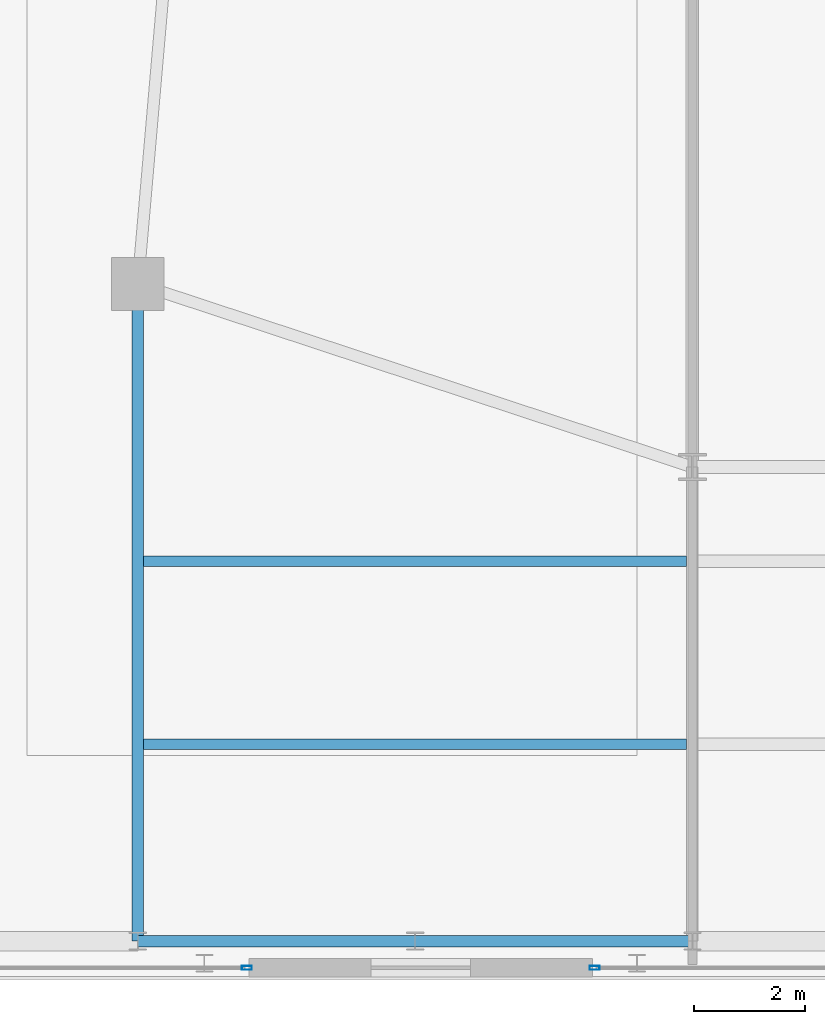
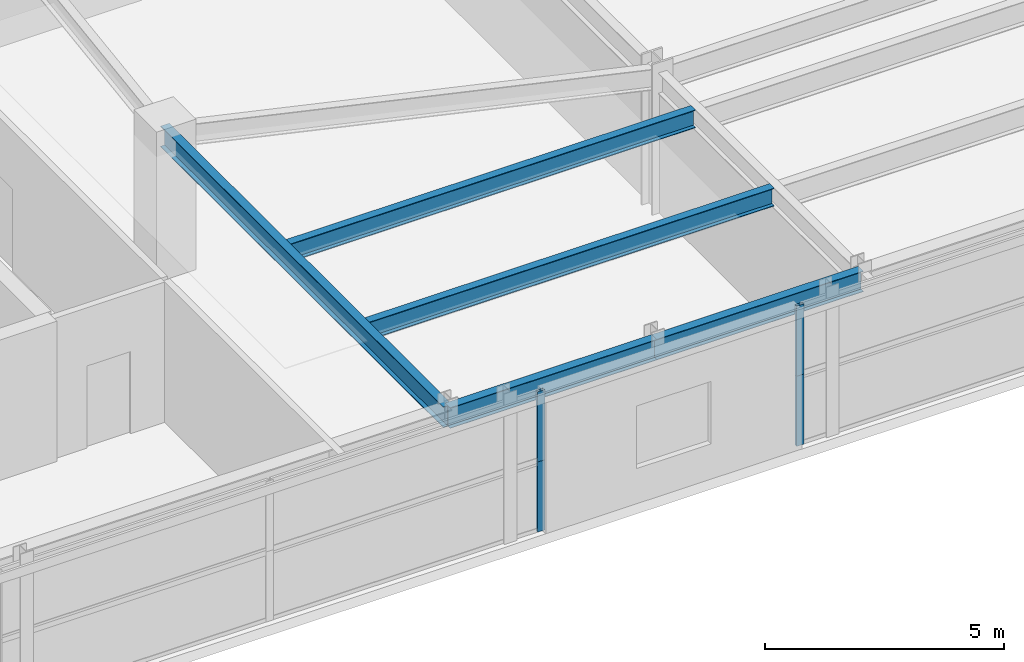
# One storey, part 10 of 26: 5 beams, 4 members, 4 elements without a shape of their own.
"""IFC4 building model written with IfcOpenShell, lengths in metres."""

import ifcopenshell
import ifcopenshell.guid

model = None  # the IFC model being written
_history = None  # IfcOwnerHistory: only IFC2X3 demands one
_inside = {}  # id of a spatial element -> (the spatial element, [elements in it])
_under = {}  # id of a project, library or spatial element -> (it, [spatial elements below it])
_declared = {}  # id of a project -> (the project, [libraries it declares])
_typed = {}  # id of a type object -> (the type object, [elements of that type])
_made_of = {}  # id of a material, layer set ... -> (it, [elements and type objects made of it])


def new_model(schema):
    """Start an empty IFC model of exactly this schema.

    Asked for "IFC4X3", IfcOpenShell would pick the latest addendum, in which some entities
    have other attributes; the version numbers below select the first issue.
    IFC2X3 requires an IfcOwnerHistory on every rooted entity: one is made here for all.
    """
    global model, _history
    if schema == "IFC4X3":
        model = ifcopenshell.file(schema_version=(4, 3, 0, 0))
    else:
        model = ifcopenshell.file(schema=schema)
    _inside.clear()
    _under.clear()
    _declared.clear()
    _typed.clear()
    _made_of.clear()
    _history = None
    if model.schema == "IFC2X3":
        org = make("IfcOrganization", Name="unknown")
        user = make(
            "IfcPersonAndOrganization",
            ThePerson=make("IfcPerson", FamilyName="unknown"),
            TheOrganization=org,
        )
        app = make(
            "IfcApplication",
            ApplicationDeveloper=org,
            Version="unknown",
            ApplicationFullName="unknown",
            ApplicationIdentifier="unknown",
        )
        _history = make(
            "IfcOwnerHistory",
            OwningUser=user,
            OwningApplication=app,
            ChangeAction="ADDED",
            CreationDate=0,
        )
    return model


def make(cls, **values):
    """One entity of the class cls with the attributes given. An attribute that is None is left unset."""
    return model.create_entity(
        cls, **{name: value for name, value in values.items() if value is not None}
    )


def rooted(cls, **values):
    """An entity with a GlobalId (a new one), such as an element, a storey or a relation."""
    return make(cls, GlobalId=ifcopenshell.guid.new(), OwnerHistory=_history, **values)


def si_unit(unit_type, name, prefix=None):
    """IfcSIUnit, for example si_unit("LENGTHUNIT", "METRE", prefix="MILLI")."""
    return make("IfcSIUnit", UnitType=unit_type, Prefix=prefix, Name=name)


def assignment(units):
    """IfcUnitAssignment: the units of a project."""
    return None if units is None else make("IfcUnitAssignment", Units=units)


def point(xyz):
    """IfcCartesianPoint."""
    return None if xyz is None else make("IfcCartesianPoint", Coordinates=xyz)


def direction(xyz):
    """IfcDirection."""
    return None if xyz is None else make("IfcDirection", DirectionRatios=xyz)


def frame(location, z_axis=None, x_axis=None):
    """IfcAxis2Placement3D, a coordinate frame: its origin and axes. An axis left out is left unset."""
    return make(
        "IfcAxis2Placement3D",
        Location=point(location),
        Axis=direction(z_axis),
        RefDirection=direction(x_axis),
    )


def frame_2d(location, x_axis=None):
    """IfcAxis2Placement2D, a coordinate frame in the plane: its origin and x axis."""
    return make(
        "IfcAxis2Placement2D", Location=point(location), RefDirection=direction(x_axis)
    )


def origin():
    """The frame at (0, 0, 0) with its axes left unset."""
    return frame((0.0, 0.0, 0.0))


def origin_2d():
    """The frame at (0, 0) in the plane with its x axis left unset."""
    return frame_2d((0.0, 0.0))


def place(relative_to, where):
    """IfcLocalPlacement: puts the frame where relative to a parent placement (None: the world)."""
    return make(
        "IfcLocalPlacement", PlacementRelTo=relative_to, RelativePlacement=where
    )


def context(
    kind, dimensions, precision=None, world=None, true_north=None, identifier=None
):
    """IfcGeometricRepresentationContext, for example the 3D "Model" context."""
    return make(
        "IfcGeometricRepresentationContext",
        ContextIdentifier=identifier,
        ContextType=kind,
        CoordinateSpaceDimension=dimensions,
        Precision=precision,
        WorldCoordinateSystem=world,
        TrueNorth=true_north,
    )


def subcontext(parent, identifier, kind, view, scale=None):
    """IfcGeometricRepresentationSubContext, for example "Body" below "Model"."""
    return make(
        "IfcGeometricRepresentationSubContext",
        ContextIdentifier=identifier,
        ContextType=kind,
        ParentContext=parent,
        TargetScale=scale,
        TargetView=view,
    )


def project(units=None, contexts=None):
    """IfcProject with its units and contexts."""
    return rooted(
        "IfcProject",
        Name="project",
        RepresentationContexts=contexts,
        UnitsInContext=assignment(units),
    )


def spatial(cls, under=None, at=None, **own):
    """A site, building, storey or space (cls), placed at a placement, below another one or the project."""
    s = rooted(cls, ObjectPlacement=at, **own)
    if under is not None:
        _under.setdefault(under.id(), (under, []))[1].append(s)
    return s


def profile(cls, at=None, kind="AREA", **sizes):
    """A parametric profile (cls). Its sizes go by their IFC names, for example OverallWidth=200.0."""
    return make(cls, ProfileType=kind, Position=at, **sizes)


def hollow_rectangle(**sizes):
    """IfcRectangleHollowProfileDef."""
    return profile("IfcRectangleHollowProfileDef", **sizes)


def i_section(**sizes):
    """IfcIShapeProfileDef."""
    return profile("IfcIShapeProfileDef", **sizes)


def extrude(swept, where, along, depth):
    """IfcExtrudedAreaSolid: the profile swept, set in the frame where, extruded along a direction by depth."""
    return make(
        "IfcExtrudedAreaSolid",
        SweptArea=swept,
        Position=where,
        ExtrudedDirection=direction(along),
        Depth=depth,
    )


def shape(context_of_items, identifier, shape_type, items):
    """IfcShapeRepresentation: the items that make up one representation, for example the "Body"."""
    return make(
        "IfcShapeRepresentation",
        ContextOfItems=context_of_items,
        RepresentationIdentifier=identifier,
        RepresentationType=shape_type,
        Items=items,
    )


def source(mapping_origin, context_of_items, identifier, shape_type, items):
    """IfcRepresentationMap: a shape defined once, which mapped items show again and again."""
    return make(
        "IfcRepresentationMap",
        MappingOrigin=mapping_origin,
        MappedRepresentation=shape(context_of_items, identifier, shape_type, items),
    )


def transform(
    local_origin,
    x_axis=None,
    y_axis=None,
    z_axis=None,
    scale=None,
    scale2=None,
    scale3=None,
    uniform=True,
):
    """IfcCartesianTransformationOperator3D, or its non-uniform kind. x_axis, y_axis, z_axis: its Axis1, 2, 3."""
    if uniform:
        return make(
            "IfcCartesianTransformationOperator3D",
            Axis1=direction(x_axis),
            Axis2=direction(y_axis),
            LocalOrigin=point(local_origin),
            Scale=scale,
            Axis3=direction(z_axis),
        )
    return make(
        "IfcCartesianTransformationOperator3DnonUniform",
        Axis1=direction(x_axis),
        Axis2=direction(y_axis),
        LocalOrigin=point(local_origin),
        Scale=scale,
        Axis3=direction(z_axis),
        Scale2=scale2,
        Scale3=scale3,
    )


def mapped(mapping_source, mapping_target):
    """IfcMappedItem: shows the shape of a source again, moved by a transform."""
    return make(
        "IfcMappedItem", MappingSource=mapping_source, MappingTarget=mapping_target
    )


def material(Name=None, Category=None):
    """IfcMaterial."""
    return make("IfcMaterial", Name=Name, Category=Category)


def layer(
    of_material, thickness, ventilated=None, Name=None, Category=None, Priority=None
):
    """IfcMaterialLayer: one layer of a wall or slab, of a material (None: an air gap)."""
    return make(
        "IfcMaterialLayer",
        Material=of_material,
        LayerThickness=thickness,
        IsVentilated=ventilated,
        Name=Name,
        Category=Category,
        Priority=Priority,
    )


def layer_set(layers, Name=None):
    """IfcMaterialLayerSet."""
    return make("IfcMaterialLayerSet", MaterialLayers=layers, LayerSetName=Name)


def material_profile(
    of_material, cross_section, Name=None, Category=None, Priority=None
):
    """IfcMaterialProfile: a cross section and its material."""
    return make(
        "IfcMaterialProfile",
        Name=Name,
        Material=of_material,
        Profile=cross_section,
        Priority=Priority,
        Category=Category,
    )


def profile_set(profiles, Name=None, composite=None):
    """IfcMaterialProfileSet."""
    return make(
        "IfcMaterialProfileSet",
        Name=Name,
        MaterialProfiles=profiles,
        CompositeProfile=composite,
    )


def made_of(thing, what):
    """Note that an element or type object is made of a material, layer set ...; save() writes the relation."""
    if what is not None:
        _made_of.setdefault(what.id(), (what, []))[1].append(thing)
    return thing


def type_object(cls, material=None, **own):
    """A type object (cls), such as IfcWallType, which elements share."""
    return made_of(rooted(cls, **own), material)


def element(
    cls,
    number,
    at=None,
    inside=None,
    cuts=None,
    type_object=None,
    material=None,
    context=None,
    identifier="Body",
    shape_type=None,
    held_by="IfcProductDefinitionShape",
    body=None,
    shapes=None,
    **own,
):
    """One element of the class cls, such as IfcWall. Its Tag is "e" and its number.

    at: its placement. inside: the storey or other place that contains it. cuts: it is an
    opening in that element (IfcRelVoidsElement). A single representation is given by context,
    identifier, shape_type and body (its items); several are given by shapes. held_by: the class
    of the entity that holds the representations. save() writes the other relations.
    """
    e = rooted(cls, Tag="e%d" % number, ObjectPlacement=at, **own)
    if body is not None:
        shapes = [shape(context, identifier, shape_type, body)]
    if shapes is not None:
        e.Representation = make(held_by, Representations=shapes)
    if inside is not None:
        _inside.setdefault(inside.id(), (inside, []))[1].append(e)
    if cuts is not None:
        rooted(
            "IfcRelVoidsElement", RelatingBuildingElement=cuts, RelatedOpeningElement=e
        )
    if type_object is not None:
        _typed.setdefault(type_object.id(), (type_object, []))[1].append(e)
    return made_of(e, material)


def aggregate(whole, parts):
    """IfcRelAggregates: a whole, such as a stair, and the parts it consists of."""
    return rooted("IfcRelAggregates", RelatingObject=whole, RelatedObjects=parts)


def save(model, path):
    """Write the relations noted so far, then the file.

    IfcRelAggregates (storeys below a building ...), IfcRelContainedInSpatialStructure (elements
    in a storey), IfcRelDefinesByType, IfcRelAssociatesMaterial and IfcRelDeclares: one each for
    every whole, place, type object, material and project.
    """
    for whole, parts in _under.values():
        aggregate(whole, parts)
    for where, things in _inside.values():
        rooted(
            "IfcRelContainedInSpatialStructure",
            RelatedElements=things,
            RelatingStructure=where,
        )
    for kind, things in _typed.values():
        rooted("IfcRelDefinesByType", RelatedObjects=things, RelatingType=kind)
    for what, things in _made_of.values():
        rooted("IfcRelAssociatesMaterial", RelatedObjects=things, RelatingMaterial=what)
    for by, libraries in _declared.values():
        rooted("IfcRelDeclares", RelatingContext=by, RelatedDefinitions=libraries)
    model.write(path)


model = new_model("IFC4")

# Units and contexts
model_context = context("Model", 3, precision=1e-05, world=origin(), true_north=direction((0.0, 1.0)))
body_context = subcontext(model_context, "Body", "Model", "MODEL_VIEW")
ifc_project = project(units=[si_unit("LENGTHUNIT", "METRE"), si_unit("AREAUNIT", "SQUARE_METRE"), si_unit("VOLUMEUNIT", "CUBIC_METRE"), si_unit("PLANEANGLEUNIT", "RADIAN"), si_unit("MASSUNIT", "GRAM", prefix="KILO")], contexts=[model_context])

# Site, building, storey
site_placement = place(None, origin())
site = spatial("IfcSite", under=ifc_project, at=site_placement, CompositionType="ELEMENT")
building_placement = place(site_placement, origin())
building = spatial("IfcBuilding", under=site, at=building_placement, Name="Taldren Reach Tower", CompositionType="ELEMENT")
storey_placement = place(building_placement, frame((0.0, 0.0, 4.550048828125)))
storey = spatial("IfcBuildingStorey", under=building, at=storey_placement, Name="L01", CompositionType="ELEMENT", Elevation=4.550048828125)

# Beams
ifc_material_1 = material(Name="Steel Gr 350 (350PLUS)", Category="steel")
ifc_material_profile_1 = material_profile(ifc_material_1, i_section(OverallWidth=0.208984375, OverallDepth=0.528076171875, WebThickness=0.009521484375, FlangeThickness=0.01318359375, at=origin_2d()), Name="530UB82.0")
ifc_profile_set_1 = profile_set([ifc_material_profile_1], Name="Steel Gr 350 (350PLUS)")
beam_type_1 = type_object("IfcBeamType", Name="SP-UB530B", PredefinedType="SPANDREL", material=ifc_profile_set_1)
shared_shape_1 = source(origin(), body_context, "Body", "SweptSolid", [
    extrude(i_section(OverallWidth=0.208984375, OverallDepth=0.528076171875, WebThickness=0.009521484375, FlangeThickness=0.01318359375, at=origin_2d()), origin(), (0.0, 0.0, 1.0), 5.0),
])
for number, where, z_axis, x_axis, name in (
    (1, (18.0, 0.64990234375, 3.325927734375), (1.0, 0.0, 0.0), (0.0, 1.0, 0.0), "Podium beam L01-PD02"),
    (2, (23.0, 0.64990234375, 3.325927734375), (1.0, 0.0, 0.0), (0.0, 1.0, 0.0), "Podium beam L01-PD03"),
):
    element("IfcBeam", number, at=place(storey_placement, frame(where, z_axis=z_axis, x_axis=x_axis)), inside=storey, type_object=beam_type_1, Name=name, PredefinedType="SPANDREL", context=body_context, shape_type="MappedRepresentation", body=[
        mapped(shared_shape_1, transform((0.0, 0.0, 0.0), scale=1.0)),
    ])
ifc_material_profile_2 = material_profile(ifc_material_1, i_section(OverallWidth=0.208984375, OverallDepth=0.532958984375, WebThickness=0.01025390625, FlangeThickness=0.015625, at=origin_2d()), Name="530UB92.4")
ifc_profile_set_2 = profile_set([ifc_material_profile_2], Name="Steel Gr 350 (350PLUS)")
beam_type_2 = type_object("IfcBeamType", Name="BM-UB530A", PredefinedType="BEAM", material=ifc_profile_set_2)
shared_shape_2 = source(origin(), body_context, "Body", "SweptSolid", [
    extrude(i_section(OverallWidth=0.208984375, OverallDepth=0.532958984375, WebThickness=0.01025390625, FlangeThickness=0.015625, at=origin_2d()), origin(), (0.0, 0.0, 1.0), 11.85009765625),
])
beam_placement = place(storey_placement, frame((18.0, 0.64990234375, 3.323486328125), z_axis=(0.0, 1.0, 0.0), x_axis=(-1.0, 0.0, 0.0)))
element("IfcBeam", 3, at=beam_placement, inside=storey, type_object=beam_type_2, Name="Podium beam L01-PD22", PredefinedType="BEAM", context=body_context, shape_type="MappedRepresentation", body=[
    mapped(shared_shape_2, transform((0.0, 0.0, 0.0), scale=1.0)),
])
ifc_material_profile_3 = material_profile(ifc_material_1, i_section(OverallWidth=0.19091796875, OverallDepth=0.4599609375, WebThickness=0.010009765625, FlangeThickness=0.01611328125, at=origin_2d()), Name="460UB82.1")
ifc_profile_set_3 = profile_set([ifc_material_profile_3], Name="Steel Gr 350 (350PLUS)")
beam_type_3 = type_object("IfcBeamType", Name="BM-UB460A", PredefinedType="BEAM", material=ifc_profile_set_3)
shared_shape_3 = source(origin(), body_context, "Body", "SweptSolid", [
    extrude(i_section(OverallWidth=0.19091796875, OverallDepth=0.4599609375, WebThickness=0.010009765625, FlangeThickness=0.01611328125, at=origin_2d()), origin(), (0.0, 0.0, 1.0), 9.791015625),
])
for number, where, z_axis, x_axis, name in (
    (4, (18.1044921875, 4.199951171875, 3.35986328125), (1.0, 0.0, 0.0), (0.0, 1.0, 0.0), "Podium composite floor beam L01-1.1"),
    (5, (18.1044921875, 7.5, 3.35986328125), (1.0, 0.0, 0.0), (0.0, 1.0, 0.0), "Podium composite floor beam L01-2.1"),
):
    element("IfcBeam", number, at=place(storey_placement, frame(where, z_axis=z_axis, x_axis=x_axis)), inside=storey, type_object=beam_type_3, Name=name, PredefinedType="BEAM", context=body_context, shape_type="MappedRepresentation", body=[
        mapped(shared_shape_3, transform((0.0, 0.0, 0.0), scale=1.0)),
    ])

# Curtain wall, member
ifc_material_2 = material(Name="Aluminium and Low-E Glass Unitised System", Category="aluminium")
ifc_layer = layer(ifc_material_2, 0.159912109375)
ifc_layer_set = layer_set([ifc_layer], Name="Aluminium and Low-E Glass Unitised System")
curtain_wall_type = type_object("IfcCurtainWallType", Name="CW-SYS-1", PredefinedType="NOTDEFINED", material=ifc_layer_set)
curtain_wall_1_placement = place(storey_placement, origin())
curtain_wall_1 = element("IfcCurtainWall", 6, at=curtain_wall_1_placement, inside=storey, type_object=curtain_wall_type, Name="Unitised curtain wall CW1-L01-S1", PredefinedType="NOTDEFINED")
ifc_material_3 = material(Name="Anodised Aluminium 6063-T6", Category="aluminium")
ifc_material_profile_4 = material_profile(ifc_material_3, hollow_rectangle(XDim=0.070068359375, YDim=0.179931640625, WallThickness=0.00390625, at=origin_2d()), Name="ALU-180x70x4RHS")
ifc_profile_set_4 = profile_set([ifc_material_profile_4], Name="Anodised Aluminium 6063-T6")
member_type = type_object("IfcMemberType", Name="CW-MUL-180", PredefinedType="MULLION", material=ifc_profile_set_4)
shared_shape_4 = source(origin(), body_context, "Body", "SweptSolid", [
    extrude(hollow_rectangle(XDim=0.070068359375, YDim=0.179931640625, WallThickness=0.00390625, at=origin_2d()), origin(), (0.0, 0.0, 1.0), 1.794921875),
])
member_1_placement = place(storey_placement, frame((19.965087890625, 0.169921875, 0.0), z_axis=(0.0, 0.0, 1.0), x_axis=(0.0, 1.0, 0.0)))
member_1 = element("IfcMember", 7, at=member_1_placement, type_object=member_type, Name="CW-1 mullion 3", PredefinedType="MULLION", context=body_context, shape_type="MappedRepresentation", body=[
    mapped(shared_shape_4, transform((0.0, 0.0, 0.0), scale=1.0)),
])
aggregate(curtain_wall_1, [member_1])

curtain_wall_2_placement = place(storey_placement, origin())
curtain_wall_2 = element("IfcCurtainWall", 8, at=curtain_wall_2_placement, inside=storey, type_object=curtain_wall_type, Name="Unitised curtain wall CW1-L01-S1-T2", PredefinedType="NOTDEFINED")
member_2_placement = place(storey_placement, frame((19.965087890625, 0.169921875, 1.794921875), z_axis=(0.0, 0.0, 1.0), x_axis=(0.0, 1.0, 0.0)))
member_2 = element("IfcMember", 9, at=member_2_placement, type_object=member_type, Name="CW-1 mullion 3", PredefinedType="MULLION", context=body_context, shape_type="MappedRepresentation", body=[
    mapped(shared_shape_4, transform((0.0, 0.0, 0.0), scale=1.0)),
])
aggregate(curtain_wall_2, [member_2])

curtain_wall_3_placement = place(storey_placement, origin())
curtain_wall_3 = element("IfcCurtainWall", 10, at=curtain_wall_3_placement, inside=storey, type_object=curtain_wall_type, Name="Unitised curtain wall CW1-L01-S2", PredefinedType="NOTDEFINED")
member_3_placement = place(storey_placement, frame((26.235107421875, 0.169921875, 0.0), z_axis=(0.0, 0.0, 1.0), x_axis=(0.0, 1.0, 0.0)))
member_3 = element("IfcMember", 11, at=member_3_placement, type_object=member_type, Name="CW-1 mullion 1", PredefinedType="MULLION", context=body_context, shape_type="MappedRepresentation", body=[
    mapped(shared_shape_4, transform((0.0, 0.0, 0.0), scale=1.0)),
])
aggregate(curtain_wall_3, [member_3])

curtain_wall_4_placement = place(storey_placement, origin())
curtain_wall_4 = element("IfcCurtainWall", 12, at=curtain_wall_4_placement, inside=storey, type_object=curtain_wall_type, Name="Unitised curtain wall CW1-L01-S2-T2", PredefinedType="NOTDEFINED")
member_4_placement = place(storey_placement, frame((26.235107421875, 0.169921875, 1.794921875), z_axis=(0.0, 0.0, 1.0), x_axis=(0.0, 1.0, 0.0)))
member_4 = element("IfcMember", 13, at=member_4_placement, type_object=member_type, Name="CW-1 mullion 1", PredefinedType="MULLION", context=body_context, shape_type="MappedRepresentation", body=[
    mapped(shared_shape_4, transform((0.0, 0.0, 0.0), scale=1.0)),
])
aggregate(curtain_wall_4, [member_4])

save(model, "model.ifc")
